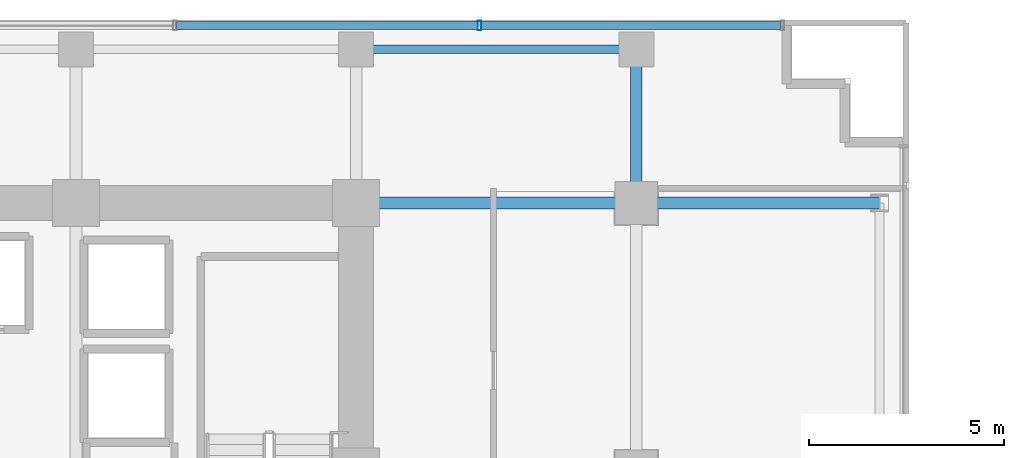
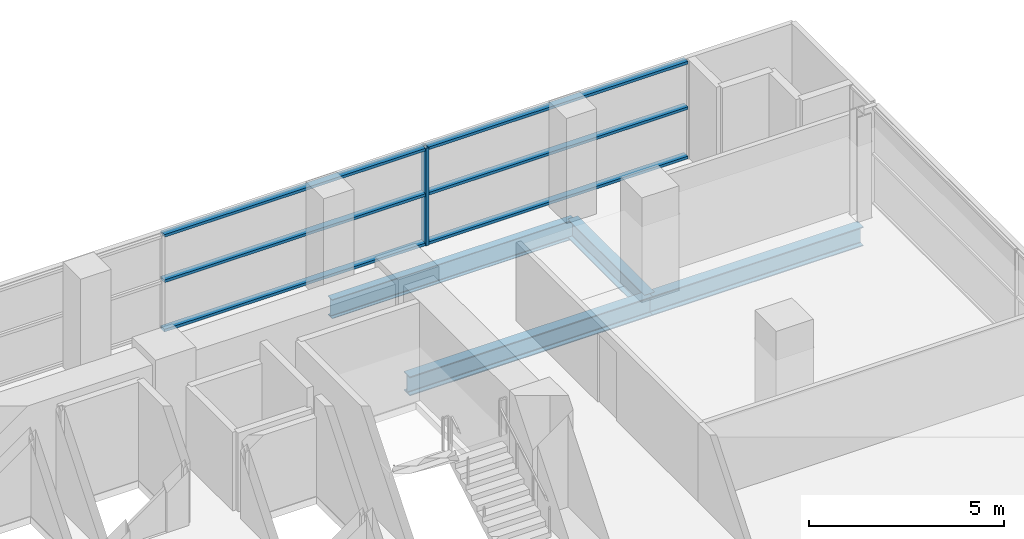
# One storey, part 19 of 30: 7 members, 4 beams, 1 element without a shape of its own.
"""IFC4 building model written with IfcOpenShell, lengths in metres."""

from ifc_helpers import new_model, si_unit, direction, frame, origin, origin_2d, place, context, subcontext, project, spatial, hollow_rectangle, i_section, extrude, source, transform, mapped, material, layer, layer_set, material_profile, profile_set, type_object, element, aggregate, save


model = new_model("IFC4")

# Units and contexts
model_context = context("Model", 3, precision=1e-05, world=origin(), true_north=direction((0.0, 1.0)))
body_context = subcontext(model_context, "Body", "Model", "MODEL_VIEW")
ifc_project = project(units=[si_unit("LENGTHUNIT", "METRE"), si_unit("AREAUNIT", "SQUARE_METRE"), si_unit("VOLUMEUNIT", "CUBIC_METRE"), si_unit("PLANEANGLEUNIT", "RADIAN"), si_unit("MASSUNIT", "GRAM", prefix="KILO")], contexts=[model_context])

# Site, building, storey
site_placement = place(None, origin())
site = spatial("IfcSite", under=ifc_project, at=site_placement, CompositionType="ELEMENT")
building_placement = place(site_placement, origin())
building = spatial("IfcBuilding", under=site, at=building_placement, Name="Zarnakvel Exchange Tower", CompositionType="ELEMENT")
storey_placement = place(building_placement, frame((0.0, 0.0, 30.699951171875)))
storey = spatial("IfcBuildingStorey", under=building, at=storey_placement, Name="L07", CompositionType="ELEMENT", Elevation=30.699951171875)

# Beams
ifc_material_1 = material(Name="Steel S355", Category="steel")
ifc_material_profile_1 = material_profile(ifc_material_1, i_section(OverallWidth=0.300048828125, OverallDepth=0.60009765625, WebThickness=0.015380859375, FlangeThickness=0.030029296875, FilletRadius=0.027099609375, at=origin_2d()))
ifc_profile_set_1 = profile_set([ifc_material_profile_1], Name="Steel S355")
beam_type_1 = type_object("IfcBeamType", Name="G-04", PredefinedType="BEAM", material=ifc_profile_set_1)
beam_1_placement = place(storey_placement, frame((14.39990234375, 13.5, -0.52490234375), z_axis=(1.0, 0.0, 0.0), x_axis=(0.0, 1.0, 0.0)))
element("IfcBeam", 1, at=beam_1_placement, inside=storey, type_object=beam_type_1, Name="L07 Tower E-W Frame Beam", PredefinedType="BEAM", context=body_context, shape_type="SweptSolid", body=[
    extrude(i_section(OverallWidth=0.300048828125, OverallDepth=0.60009765625, WebThickness=0.015380859375, FlangeThickness=0.030029296875, FilletRadius=0.027099609375, at=origin_2d()), origin(), (0.0, 0.0, 1.0), 7.2001953125),
])
beam_2_placement = place(storey_placement, frame((21.60009765625, 13.5, -0.52490234375), z_axis=(1.0, 0.0, 0.0), x_axis=(0.0, 1.0, 0.0)))
element("IfcBeam", 2, at=beam_2_placement, inside=storey, type_object=beam_type_1, Name="L07 Tower E-W Frame Beam", PredefinedType="BEAM", context=body_context, shape_type="SweptSolid", body=[
    extrude(i_section(OverallWidth=0.300048828125, OverallDepth=0.60009765625, WebThickness=0.015380859375, FlangeThickness=0.030029296875, FilletRadius=0.027099609375, at=origin_2d()), origin(), (0.0, 0.0, 1.0), 6.25),
])
beam_3_placement = place(storey_placement, frame((21.60009765625, 13.5, -0.52490234375), z_axis=(0.0, 1.0, 0.0), x_axis=(-1.0, 0.0, 0.0)))
element("IfcBeam", 3, at=beam_3_placement, inside=storey, type_object=beam_type_1, Name="L07 Tower N-S Frame Beam", PredefinedType="BEAM", context=body_context, shape_type="SweptSolid", body=[
    extrude(i_section(OverallWidth=0.300048828125, OverallDepth=0.60009765625, WebThickness=0.015380859375, FlangeThickness=0.030029296875, FilletRadius=0.027099609375, at=origin_2d()), origin(), (0.0, 0.0, 1.0), 3.949951171875),
])
ifc_material_profile_2 = material_profile(ifc_material_1, i_section(OverallWidth=0.219970703125, OverallDepth=0.60009765625, WebThickness=0.011962890625, FlangeThickness=0.01904296875, FilletRadius=0.02392578125, at=origin_2d()))
ifc_profile_set_2 = profile_set([ifc_material_profile_2], Name="Steel S355")
beam_type_2 = type_object("IfcBeamType", Name="SP-01", PredefinedType="SPANDREL", material=ifc_profile_set_2)
beam_4_placement = place(storey_placement, frame((14.39990234375, 17.449951171875, -0.52490234375), z_axis=(1.0, 0.0, 0.0), x_axis=(0.0, 1.0, 0.0)))
element("IfcBeam", 4, at=beam_4_placement, inside=storey, type_object=beam_type_2, Name="L07 Tower E-W Frame Beam", PredefinedType="SPANDREL", context=body_context, shape_type="SweptSolid", body=[
    extrude(i_section(OverallWidth=0.219970703125, OverallDepth=0.60009765625, WebThickness=0.011962890625, FlangeThickness=0.01904296875, FilletRadius=0.02392578125, at=origin_2d()), origin(), (0.0, 0.0, 1.0), 7.2001953125),
])

# Curtain wall, members
ifc_material_2 = material(Name="Architectural Bronze Anodised Aluminium", Category="aluminium")
ifc_layer = layer(ifc_material_2, 0.239990234375)
ifc_layer_set = layer_set([ifc_layer], Name="Architectural Bronze Anodised Aluminium")
curtain_wall_type = type_object("IfcCurtainWallType", Name="CW-02", PredefinedType="NOTDEFINED", material=ifc_layer_set)
curtain_wall_placement = place(storey_placement, origin())
curtain_wall = element("IfcCurtainWall", 5, at=curtain_wall_placement, inside=storey, type_object=curtain_wall_type, Name="L07 Curtain Wall CW-L07-N1 (CW-02)", PredefinedType="NOTDEFINED")
ifc_material_profile_3 = material_profile(ifc_material_2, hollow_rectangle(XDim=0.199951171875, YDim=0.0849609375, WallThickness=0.0048828125, at=origin_2d()))
ifc_profile_set_3 = profile_set([ifc_material_profile_3], Name="Architectural Bronze Anodised Aluminium")
member_type_1 = type_object("IfcMemberType", Name="CWT-02", PredefinedType="USERDEFINED", material=ifc_profile_set_3)
shared_shape_1 = source(origin(), body_context, "Body", "SweptSolid", [
    extrude(hollow_rectangle(XDim=0.199951171875, YDim=0.0849609375, WallThickness=0.0048828125, at=origin_2d()), origin(), (0.0, 0.0, 1.0), 7.693603515625),
])
member_1_placement = place(storey_placement, frame((17.616455078125, 18.06005859375, 0.04248046875), z_axis=(1.0, 0.0, 0.0), x_axis=(0.0, 1.0, 0.0)))
member_1 = element("IfcMember", 6, at=member_1_placement, type_object=member_type_1, Name="CW-02 transom 7.1", ObjectType="TRANSOM", PredefinedType="USERDEFINED", context=body_context, shape_type="MappedRepresentation", body=[
    mapped(shared_shape_1, transform((0.0, 0.0, 0.0), x_axis=(1.0, 0.0, 0.0), y_axis=(0.0, 1.0, 0.0), z_axis=(0.0, 0.0, 1.0), scale=1.0)),
])
member_2_placement = place(storey_placement, frame((17.616455078125, 18.06005859375, 1.588623046875), z_axis=(1.0, 0.0, 0.0), x_axis=(0.0, 1.0, 0.0)))
member_2 = element("IfcMember", 7, at=member_2_placement, type_object=member_type_1, Name="CW-02 transom 7.2", ObjectType="TRANSOM", PredefinedType="USERDEFINED", context=body_context, shape_type="MappedRepresentation", body=[
    mapped(shared_shape_1, transform((0.0, 0.0, 0.0), x_axis=(1.0, 0.0, 0.0), y_axis=(0.0, 1.0, 0.0), z_axis=(0.0, 0.0, 1.0), scale=1.0)),
])
member_3_placement = place(storey_placement, frame((17.616455078125, 18.06005859375, 3.012451171875), z_axis=(1.0, 0.0, 0.0), x_axis=(0.0, 1.0, 0.0)))
member_3 = element("IfcMember", 8, at=member_3_placement, type_object=member_type_1, Name="CW-02 transom 7.3", ObjectType="TRANSOM", PredefinedType="USERDEFINED", context=body_context, shape_type="MappedRepresentation", body=[
    mapped(shared_shape_1, transform((0.0, 0.0, 0.0), x_axis=(1.0, 0.0, 0.0), y_axis=(0.0, 1.0, 0.0), z_axis=(0.0, 0.0, 1.0), scale=1.0)),
])
shared_shape_2 = source(origin(), body_context, "Body", "SweptSolid", [
    extrude(hollow_rectangle(XDim=0.199951171875, YDim=0.0849609375, WallThickness=0.0048828125, at=origin_2d()), origin(), (0.0, 0.0, 1.0), 7.738525390625),
])
member_4_placement = place(storey_placement, frame((9.787841796875, 18.06005859375, 0.04248046875), z_axis=(1.0, 0.0, 0.0), x_axis=(0.0, 1.0, 0.0)))
member_4 = element("IfcMember", 9, at=member_4_placement, type_object=member_type_1, Name="CW-02 transom 6.1", ObjectType="TRANSOM", PredefinedType="USERDEFINED", context=body_context, shape_type="MappedRepresentation", body=[
    mapped(shared_shape_2, transform((0.0, 0.0, 0.0), x_axis=(1.0, 0.0, 0.0), y_axis=(0.0, 1.0, 0.0), z_axis=(0.0, 0.0, 1.0), scale=1.0)),
])
member_5_placement = place(storey_placement, frame((9.787841796875, 18.06005859375, 1.588623046875), z_axis=(1.0, 0.0, 0.0), x_axis=(0.0, 1.0, 0.0)))
member_5 = element("IfcMember", 10, at=member_5_placement, type_object=member_type_1, Name="CW-02 transom 6.2", ObjectType="TRANSOM", PredefinedType="USERDEFINED", context=body_context, shape_type="MappedRepresentation", body=[
    mapped(shared_shape_2, transform((0.0, 0.0, 0.0), x_axis=(1.0, 0.0, 0.0), y_axis=(0.0, 1.0, 0.0), z_axis=(0.0, 0.0, 1.0), scale=1.0)),
])
member_6_placement = place(storey_placement, frame((9.787841796875, 18.06005859375, 3.012451171875), z_axis=(1.0, 0.0, 0.0), x_axis=(0.0, 1.0, 0.0)))
member_6 = element("IfcMember", 11, at=member_6_placement, type_object=member_type_1, Name="CW-02 transom 6.3", ObjectType="TRANSOM", PredefinedType="USERDEFINED", context=body_context, shape_type="MappedRepresentation", body=[
    mapped(shared_shape_2, transform((0.0, 0.0, 0.0), x_axis=(1.0, 0.0, 0.0), y_axis=(0.0, 1.0, 0.0), z_axis=(0.0, 0.0, 1.0), scale=1.0)),
])
ifc_material_profile_4 = material_profile(ifc_material_2, hollow_rectangle(XDim=0.239990234375, YDim=0.090087890625, WallThickness=0.006103515625, at=origin_2d()))
ifc_profile_set_4 = profile_set([ifc_material_profile_4], Name="Architectural Bronze Anodised Aluminium")
member_type_2 = type_object("IfcMemberType", Name="CWM-02", PredefinedType="MULLION", material=ifc_profile_set_4)
shared_shape_3 = source(origin(), body_context, "Body", "SweptSolid", [
    extrude(hollow_rectangle(XDim=0.239990234375, YDim=0.090087890625, WallThickness=0.006103515625, at=origin_2d()), origin(), (0.0, 0.0, 1.0), 3.054931640625),
])
member_7_placement = place(storey_placement, frame((17.571533203125, 18.06005859375, 0.0), z_axis=(0.0, 0.0, 1.0), x_axis=(0.0, 1.0, 0.0)))
member_7 = element("IfcMember", 12, at=member_7_placement, type_object=member_type_2, Name="CW-02 mullion 7", PredefinedType="MULLION", context=body_context, shape_type="MappedRepresentation", body=[
    mapped(shared_shape_3, transform((0.0, 0.0, 0.0), x_axis=(1.0, 0.0, 0.0), y_axis=(0.0, 1.0, 0.0), z_axis=(0.0, 0.0, 1.0), scale=1.0)),
])
aggregate(curtain_wall, [member_7, member_4, member_5, member_6, member_1, member_2, member_3])

save(model, "model.ifc")
